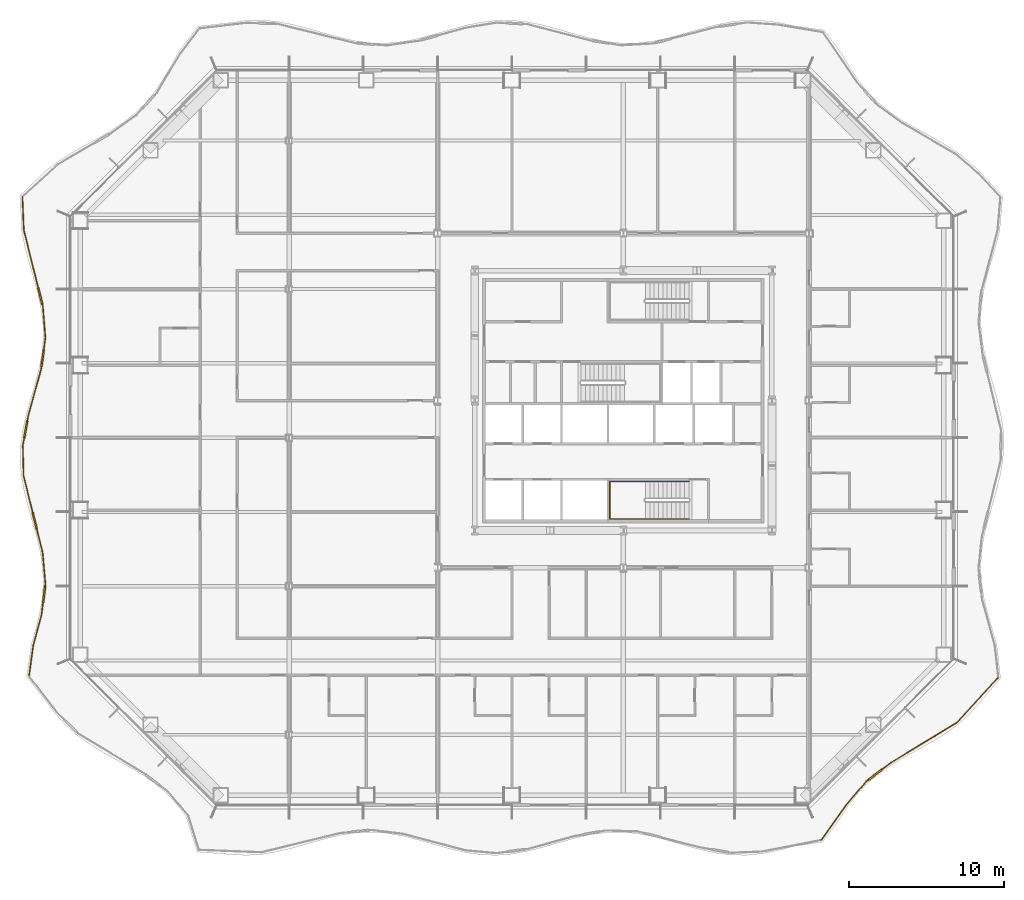
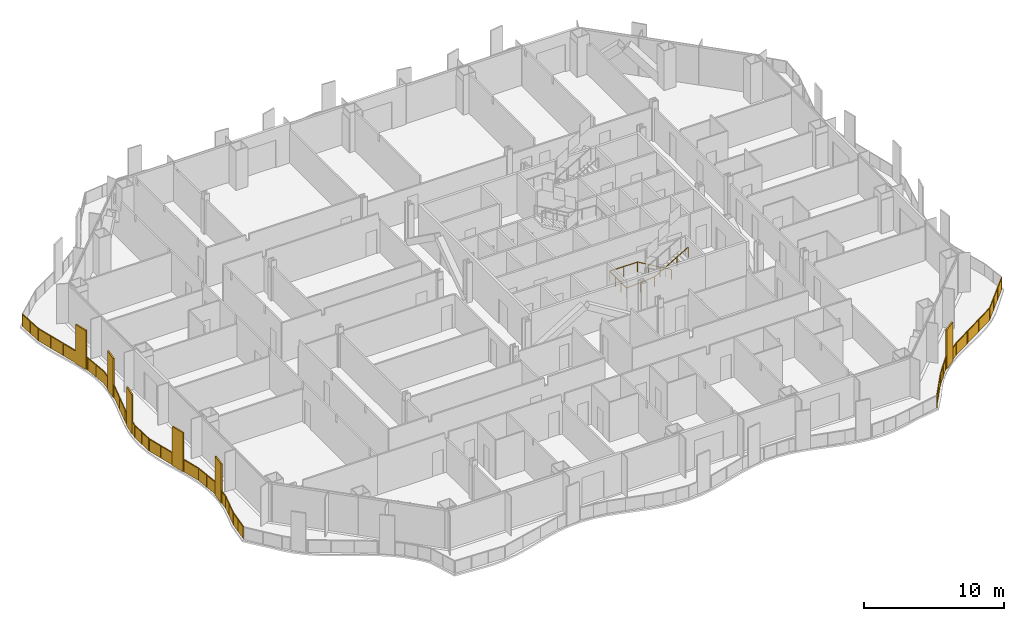
# One storey, part 17 of 21: 3 railings.
"""IFC4 building model written with IfcOpenShell, lengths in metres."""

import ifcopenshell
import ifcopenshell.guid

model = None  # the IFC model being written
_history = None  # IfcOwnerHistory: only IFC2X3 demands one
_inside = {}  # id of a spatial element -> (the spatial element, [elements in it])
_under = {}  # id of a project, library or spatial element -> (it, [spatial elements below it])
_declared = {}  # id of a project -> (the project, [libraries it declares])
_typed = {}  # id of a type object -> (the type object, [elements of that type])
_made_of = {}  # id of a material, layer set ... -> (it, [elements and type objects made of it])


def new_model(schema):
    """Start an empty IFC model of exactly this schema.

    Asked for "IFC4X3", IfcOpenShell would pick the latest addendum, in which some entities
    have other attributes; the version numbers below select the first issue.
    IFC2X3 requires an IfcOwnerHistory on every rooted entity: one is made here for all.
    """
    global model, _history
    if schema == "IFC4X3":
        model = ifcopenshell.file(schema_version=(4, 3, 0, 0))
    else:
        model = ifcopenshell.file(schema=schema)
    _inside.clear()
    _under.clear()
    _declared.clear()
    _typed.clear()
    _made_of.clear()
    _history = None
    if model.schema == "IFC2X3":
        org = make("IfcOrganization", Name="unknown")
        user = make(
            "IfcPersonAndOrganization",
            ThePerson=make("IfcPerson", FamilyName="unknown"),
            TheOrganization=org,
        )
        app = make(
            "IfcApplication",
            ApplicationDeveloper=org,
            Version="unknown",
            ApplicationFullName="unknown",
            ApplicationIdentifier="unknown",
        )
        _history = make(
            "IfcOwnerHistory",
            OwningUser=user,
            OwningApplication=app,
            ChangeAction="ADDED",
            CreationDate=0,
        )
    return model


def make(cls, **values):
    """One entity of the class cls with the attributes given. An attribute that is None is left unset."""
    return model.create_entity(
        cls, **{name: value for name, value in values.items() if value is not None}
    )


def rooted(cls, **values):
    """An entity with a GlobalId (a new one), such as an element, a storey or a relation."""
    return make(cls, GlobalId=ifcopenshell.guid.new(), OwnerHistory=_history, **values)


def si_unit(unit_type, name, prefix=None):
    """IfcSIUnit, for example si_unit("LENGTHUNIT", "METRE", prefix="MILLI")."""
    return make("IfcSIUnit", UnitType=unit_type, Prefix=prefix, Name=name)


def assignment(units):
    """IfcUnitAssignment: the units of a project."""
    return None if units is None else make("IfcUnitAssignment", Units=units)


def point(xyz):
    """IfcCartesianPoint."""
    return None if xyz is None else make("IfcCartesianPoint", Coordinates=xyz)


def direction(xyz):
    """IfcDirection."""
    return None if xyz is None else make("IfcDirection", DirectionRatios=xyz)


def frame(location, z_axis=None, x_axis=None):
    """IfcAxis2Placement3D, a coordinate frame: its origin and axes. An axis left out is left unset."""
    return make(
        "IfcAxis2Placement3D",
        Location=point(location),
        Axis=direction(z_axis),
        RefDirection=direction(x_axis),
    )


def frame_2d(location, x_axis=None):
    """IfcAxis2Placement2D, a coordinate frame in the plane: its origin and x axis."""
    return make(
        "IfcAxis2Placement2D", Location=point(location), RefDirection=direction(x_axis)
    )


def origin():
    """The frame at (0, 0, 0) with its axes left unset."""
    return frame((0.0, 0.0, 0.0))


def origin_2d():
    """The frame at (0, 0) in the plane with its x axis left unset."""
    return frame_2d((0.0, 0.0))


def place(relative_to, where):
    """IfcLocalPlacement: puts the frame where relative to a parent placement (None: the world)."""
    return make(
        "IfcLocalPlacement", PlacementRelTo=relative_to, RelativePlacement=where
    )


def context(
    kind, dimensions, precision=None, world=None, true_north=None, identifier=None
):
    """IfcGeometricRepresentationContext, for example the 3D "Model" context."""
    return make(
        "IfcGeometricRepresentationContext",
        ContextIdentifier=identifier,
        ContextType=kind,
        CoordinateSpaceDimension=dimensions,
        Precision=precision,
        WorldCoordinateSystem=world,
        TrueNorth=true_north,
    )


def subcontext(parent, identifier, kind, view, scale=None):
    """IfcGeometricRepresentationSubContext, for example "Body" below "Model"."""
    return make(
        "IfcGeometricRepresentationSubContext",
        ContextIdentifier=identifier,
        ContextType=kind,
        ParentContext=parent,
        TargetScale=scale,
        TargetView=view,
    )


def project(units=None, contexts=None):
    """IfcProject with its units and contexts."""
    return rooted(
        "IfcProject",
        Name="project",
        RepresentationContexts=contexts,
        UnitsInContext=assignment(units),
    )


def spatial(cls, under=None, at=None, **own):
    """A site, building, storey or space (cls), placed at a placement, below another one or the project."""
    s = rooted(cls, ObjectPlacement=at, **own)
    if under is not None:
        _under.setdefault(under.id(), (under, []))[1].append(s)
    return s


def polyline(points):
    """IfcPolyline through the points."""
    return make("IfcPolyline", Points=[point(p) for p in points])


def profile(cls, at=None, kind="AREA", **sizes):
    """A parametric profile (cls). Its sizes go by their IFC names, for example OverallWidth=200.0."""
    return make(cls, ProfileType=kind, Position=at, **sizes)


def rectangle(**sizes):
    """IfcRectangleProfileDef."""
    return profile("IfcRectangleProfileDef", **sizes)


def outline(outer, holes=None, kind="AREA"):
    """IfcArbitraryClosedProfileDef: a profile drawn as a closed curve; with holes, ...WithVoids."""
    if holes is None:
        return make("IfcArbitraryClosedProfileDef", ProfileType=kind, OuterCurve=outer)
    return make(
        "IfcArbitraryProfileDefWithVoids",
        ProfileType=kind,
        OuterCurve=outer,
        InnerCurves=holes,
    )


def extrude(swept, where, along, depth):
    """IfcExtrudedAreaSolid: the profile swept, set in the frame where, extruded along a direction by depth."""
    return make(
        "IfcExtrudedAreaSolid",
        SweptArea=swept,
        Position=where,
        ExtrudedDirection=direction(along),
        Depth=depth,
    )


def shape(context_of_items, identifier, shape_type, items):
    """IfcShapeRepresentation: the items that make up one representation, for example the "Body"."""
    return make(
        "IfcShapeRepresentation",
        ContextOfItems=context_of_items,
        RepresentationIdentifier=identifier,
        RepresentationType=shape_type,
        Items=items,
    )


def material(Name=None, Category=None):
    """IfcMaterial."""
    return make("IfcMaterial", Name=Name, Category=Category)


def made_of(thing, what):
    """Note that an element or type object is made of a material, layer set ...; save() writes the relation."""
    if what is not None:
        _made_of.setdefault(what.id(), (what, []))[1].append(thing)
    return thing


def type_object(cls, material=None, **own):
    """A type object (cls), such as IfcWallType, which elements share."""
    return made_of(rooted(cls, **own), material)


def element(
    cls,
    number,
    at=None,
    inside=None,
    cuts=None,
    type_object=None,
    material=None,
    context=None,
    identifier="Body",
    shape_type=None,
    held_by="IfcProductDefinitionShape",
    body=None,
    shapes=None,
    **own,
):
    """One element of the class cls, such as IfcWall. Its Tag is "e" and its number.

    at: its placement. inside: the storey or other place that contains it. cuts: it is an
    opening in that element (IfcRelVoidsElement). A single representation is given by context,
    identifier, shape_type and body (its items); several are given by shapes. held_by: the class
    of the entity that holds the representations. save() writes the other relations.
    """
    e = rooted(cls, Tag="e%d" % number, ObjectPlacement=at, **own)
    if body is not None:
        shapes = [shape(context, identifier, shape_type, body)]
    if shapes is not None:
        e.Representation = make(held_by, Representations=shapes)
    if inside is not None:
        _inside.setdefault(inside.id(), (inside, []))[1].append(e)
    if cuts is not None:
        rooted(
            "IfcRelVoidsElement", RelatingBuildingElement=cuts, RelatedOpeningElement=e
        )
    if type_object is not None:
        _typed.setdefault(type_object.id(), (type_object, []))[1].append(e)
    return made_of(e, material)


def aggregate(whole, parts):
    """IfcRelAggregates: a whole, such as a stair, and the parts it consists of."""
    return rooted("IfcRelAggregates", RelatingObject=whole, RelatedObjects=parts)


def save(model, path):
    """Write the relations noted so far, then the file.

    IfcRelAggregates (storeys below a building ...), IfcRelContainedInSpatialStructure (elements
    in a storey), IfcRelDefinesByType, IfcRelAssociatesMaterial and IfcRelDeclares: one each for
    every whole, place, type object, material and project.
    """
    for whole, parts in _under.values():
        aggregate(whole, parts)
    for where, things in _inside.values():
        rooted(
            "IfcRelContainedInSpatialStructure",
            RelatedElements=things,
            RelatingStructure=where,
        )
    for kind, things in _typed.values():
        rooted("IfcRelDefinesByType", RelatedObjects=things, RelatingType=kind)
    for what, things in _made_of.values():
        rooted("IfcRelAssociatesMaterial", RelatedObjects=things, RelatingMaterial=what)
    for by, libraries in _declared.values():
        rooted("IfcRelDeclares", RelatingContext=by, RelatedDefinitions=libraries)
    model.write(path)


model = new_model("IFC4")

# Units and contexts
model_context = context("Model", 3, precision=1e-05, world=origin(), true_north=direction((0.0, 1.0)))
body_context = subcontext(model_context, "Body", "Model", "MODEL_VIEW")
ifc_project = project(units=[si_unit("LENGTHUNIT", "METRE"), si_unit("AREAUNIT", "SQUARE_METRE"), si_unit("VOLUMEUNIT", "CUBIC_METRE"), si_unit("PLANEANGLEUNIT", "RADIAN"), si_unit("MASSUNIT", "GRAM", prefix="KILO")], contexts=[model_context])

# Site, building, storey
site_placement = place(None, origin())
site = spatial("IfcSite", under=ifc_project, at=site_placement, CompositionType="ELEMENT")
building_placement = place(site_placement, origin())
building = spatial("IfcBuilding", under=site, at=building_placement, Name="Cairn Pilgrim Tower", CompositionType="ELEMENT")
storey_placement = place(building_placement, frame((0.0, 0.0, 47.39990234375)))
storey = spatial("IfcBuildingStorey", under=building, at=storey_placement, Name="L09", CompositionType="ELEMENT", Elevation=47.39990234375)

# Railings
ifc_material_1 = material(Name="Bronze anodised aluminium rail, posts and fin screens with laminated glass infill", Category="aluminium")
railing_type_1 = type_object("IfcRailingType", Name="BALCONY GUARD WITH FIN SCREENS", PredefinedType="GUARDRAIL", material=ifc_material_1)
railing_1_placement = place(storey_placement, frame((19.995849609375, -25.996826171875, 0.0)))
element("IfcRailing", 1, at=railing_1_placement, inside=storey, type_object=railing_type_1, Name="Balcony guard BGF-2 with fin screens", PredefinedType="GUARDRAIL", context=body_context, shape_type="SweptSolid", body=[
    extrude(rectangle(XDim=0.050048828125, YDim=0.050048828125, at=origin_2d()), frame((0.0, 0.0, 1.0751953125), z_axis=(0.578901701454, 0.815397338758, 0.0), x_axis=(-0.815397338758, 0.578901701454, 0.0)), (0.0, 0.0, 1.0), 2.81005859375),
    extrude(rectangle(XDim=0.050048828125, YDim=0.050048828125, at=origin_2d()), frame((1.626708984375, 2.291259765625, 1.0751953125), z_axis=(0.650678985277, 0.759352920663, 0.0), x_axis=(-0.759352920663, 0.650678985277, 0.0)), (0.0, 0.0, 1.0), 1.968017578125),
    extrude(rectangle(XDim=1.10009765625, YDim=0.110107421875, at=origin_2d()), frame((3.464111328125, 4.209716796875, 0.0), z_axis=(0.0, 0.0, 1.0), x_axis=(0.79566082204, 0.605742400918, 0.0)), (0.0, 0.0, 1.0), 3.39990234375),
    extrude(rectangle(XDim=0.050048828125, YDim=0.050048828125, at=origin_2d()), frame((2.9072265625, 3.78564453125, 1.0751953125), z_axis=(0.79566082204, 0.605742400918, 0.0), x_axis=(-0.605742400918, 0.79566082204, 0.0)), (0.0, 0.0, 1.0), 0.150146484375),
    extrude(rectangle(XDim=0.050048828125, YDim=0.050048828125, at=origin_2d()), frame((3.90185546875, 4.542724609375, 1.0751953125), z_axis=(0.79566082204, 0.605742400918, 0.0), x_axis=(-0.605742400918, 0.79566082204, 0.0)), (0.0, 0.0, 1.0), 0.73095703125),
    extrude(rectangle(XDim=0.050048828125, YDim=0.050048828125, at=origin_2d()), frame((4.4833984375, 4.985595703125, 1.0751953125), z_axis=(0.854566756573, 0.51934156252, 0.0), x_axis=(-0.51934156252, 0.854566756573, 0.0)), (0.0, 0.0, 1.0), 4.977783203125),
    extrude(rectangle(XDim=0.050048828125, YDim=0.050048828125, at=origin_2d()), frame((8.7373046875, 7.57080078125, 1.0751953125), z_axis=(0.677819136403, 0.735228684373, 0.0), x_axis=(-0.735228684373, 0.677819136403, 0.0)), (0.0, 0.0, 1.0), 3.916748046875),
    extrude(rectangle(XDim=0.050048828125, YDim=0.050048828125, at=origin_2d()), origin(), (0.0, 0.0, 1.0), 1.050048828125),
    extrude(rectangle(XDim=0.050048828125, YDim=0.050048828125, at=origin_2d()), frame((0.8134765625, 1.1455078125, 0.0)), (0.0, 0.0, 1.0), 1.050048828125),
    extrude(rectangle(XDim=0.050048828125, YDim=0.050048828125, at=origin_2d()), frame((1.626708984375, 2.291259765625, 0.0)), (0.0, 0.0, 1.0), 1.050048828125),
    extrude(rectangle(XDim=0.050048828125, YDim=0.050048828125, at=origin_2d()), frame((2.26708984375, 3.03857421875, 0.0)), (0.0, 0.0, 1.0), 1.050048828125),
    extrude(rectangle(XDim=0.050048828125, YDim=0.050048828125, at=origin_2d()), frame((2.9072265625, 3.78564453125, 0.0)), (0.0, 0.0, 1.0), 1.050048828125),
    extrude(rectangle(XDim=0.050048828125, YDim=0.050048828125, at=origin_2d()), frame((3.006591796875, 3.861328125, 0.0)), (0.0, 0.0, 1.0), 1.050048828125),
    extrude(rectangle(XDim=0.050048828125, YDim=0.050048828125, at=origin_2d()), frame((3.921630859375, 4.55810546875, 0.0)), (0.0, 0.0, 1.0), 1.050048828125),
    extrude(rectangle(XDim=0.050048828125, YDim=0.050048828125, at=origin_2d()), frame((4.4833984375, 4.985595703125, 0.0)), (0.0, 0.0, 1.0), 1.050048828125),
    extrude(rectangle(XDim=0.050048828125, YDim=0.050048828125, at=origin_2d()), frame((5.9013671875, 5.847412109375, 0.0)), (0.0, 0.0, 1.0), 1.050048828125),
    extrude(rectangle(XDim=0.050048828125, YDim=0.050048828125, at=origin_2d()), frame((7.3193359375, 6.708984375, 0.0)), (0.0, 0.0, 1.0), 1.050048828125),
    extrude(rectangle(XDim=0.050048828125, YDim=0.050048828125, at=origin_2d()), frame((8.7373046875, 7.57080078125, 0.0)), (0.0, 0.0, 1.0), 1.050048828125),
    extrude(rectangle(XDim=0.050048828125, YDim=0.050048828125, at=origin_2d()), frame((9.622314453125, 8.53076171875, 0.0)), (0.0, 0.0, 1.0), 1.050048828125),
    extrude(rectangle(XDim=0.050048828125, YDim=0.050048828125, at=origin_2d()), frame((10.507080078125, 9.490478515625, 0.0)), (0.0, 0.0, 1.0), 1.050048828125),
    extrude(rectangle(XDim=0.050048828125, YDim=0.050048828125, at=origin_2d()), frame((11.39208984375, 10.450439453125, 0.0)), (0.0, 0.0, 1.0), 1.050048828125),
    extrude(outline(polyline([(0.02490234375, 0.0), (1.3798828125, 0.0), (1.3798828125, 1.050048828125), (0.02490234375, 1.050048828125), (0.02490234375, 0.0)])), frame((-0.0048828125, 0.00341796875, 0.0), z_axis=(0.815397338758, -0.578901701454, 0.0), x_axis=(0.578901701454, 0.815397338758, 0.0)), (0.0, 0.0, 1.0), 0.011962890625),
    extrude(outline(polyline([(0.02490234375, 0.0), (1.3798828125, 0.0), (1.3798828125, 1.050048828125), (0.02490234375, 1.050048828125), (0.02490234375, 0.0)])), frame((0.80859375, 1.149169921875, 0.0), z_axis=(0.815397338758, -0.578901701454, 0.0), x_axis=(0.578901701454, 0.815397338758, 0.0)), (0.0, 0.0, 1.0), 0.011962890625),
    extrude(outline(polyline([(0.02490234375, 0.0), (0.958984375, 0.0), (0.958984375, 1.050048828125), (0.02490234375, 1.050048828125), (0.02490234375, 0.0)])), frame((1.6220703125, 2.295166015625, 0.0), z_axis=(0.759352920663, -0.650678985277, 0.0), x_axis=(0.650678985277, 0.759352920663, 0.0)), (0.0, 0.0, 1.0), 0.011962890625),
    extrude(outline(polyline([(0.02490234375, 0.0), (0.958984375, 0.0), (0.958984375, 1.050048828125), (0.02490234375, 1.050048828125), (0.02490234375, 0.0)])), frame((2.262451171875, 3.042236328125, 0.0), z_axis=(0.759352920663, -0.650678985277, 0.0), x_axis=(0.650678985277, 0.759352920663, 0.0)), (0.0, 0.0, 1.0), 0.011962890625),
    extrude(outline(polyline([(0.02490234375, 0.0), (0.10009765625, 0.0), (0.10009765625, 1.050048828125), (0.02490234375, 1.050048828125), (0.02490234375, 0.0)])), frame((2.903564453125, 3.790283203125, 0.0), z_axis=(0.605742400918, -0.79566082204, 0.0), x_axis=(0.79566082204, 0.605742400918, 0.0)), (0.0, 0.0, 1.0), 0.011962890625),
    extrude(outline(polyline([(0.02490234375, 0.0), (0.680908203125, 0.0), (0.680908203125, 1.050048828125), (0.02490234375, 1.050048828125), (0.02490234375, 0.0)])), frame((3.918212890625, 4.562744140625, 0.0), z_axis=(0.605742400918, -0.79566082204, 0.0), x_axis=(0.79566082204, 0.605742400918, 0.0)), (0.0, 0.0, 1.0), 0.011962890625),
    extrude(outline(polyline([(0.02490234375, 0.0), (1.63427734375, 0.0), (1.63427734375, 1.050048828125), (0.02490234375, 1.050048828125), (0.02490234375, 0.0)])), frame((4.480224609375, 4.99072265625, 0.0), z_axis=(0.51934156252, -0.854566756573, 0.0), x_axis=(0.854566756573, 0.51934156252, 0.0)), (0.0, 0.0, 1.0), 0.011962890625),
    extrude(outline(polyline([(0.02490234375, 0.0), (1.63427734375, 0.0), (1.63427734375, 1.050048828125), (0.02490234375, 1.050048828125), (0.02490234375, 0.0)])), frame((5.898193359375, 5.8525390625, 0.0), z_axis=(0.51934156252, -0.854566756573, 0.0), x_axis=(0.854566756573, 0.51934156252, 0.0)), (0.0, 0.0, 1.0), 0.011962890625),
    extrude(outline(polyline([(0.02490234375, 0.0), (1.63427734375, 0.0), (1.63427734375, 1.050048828125), (0.02490234375, 1.050048828125), (0.02490234375, 0.0)])), frame((7.316162109375, 6.714111328125, 0.0), z_axis=(0.51934156252, -0.854566756573, 0.0), x_axis=(0.854566756573, 0.51934156252, 0.0)), (0.0, 0.0, 1.0), 0.011962890625),
    extrude(outline(polyline([(0.02490234375, 0.0), (1.280517578125, 0.0), (1.280517578125, 1.050048828125), (0.02490234375, 1.050048828125), (0.02490234375, 0.0)])), frame((8.73291015625, 7.574951171875, 0.0), z_axis=(0.735228684373, -0.677819136403, 0.0), x_axis=(0.677819136403, 0.735228684373, 0.0)), (0.0, 0.0, 1.0), 0.011962890625),
    extrude(outline(polyline([(0.02490234375, 0.0), (1.280517578125, 0.0), (1.280517578125, 1.050048828125), (0.02490234375, 1.050048828125), (0.02490234375, 0.0)])), frame((9.617919921875, 8.53466796875, 0.0), z_axis=(0.735228684373, -0.677819136403, 0.0), x_axis=(0.677819136403, 0.735228684373, 0.0)), (0.0, 0.0, 1.0), 0.011962890625),
    extrude(outline(polyline([(0.02490234375, 0.0), (1.280517578125, 0.0), (1.280517578125, 1.050048828125), (0.02490234375, 1.050048828125), (0.02490234375, 0.0)])), frame((10.502685546875, 9.49462890625, 0.0), z_axis=(0.735228684373, -0.677819136403, 0.0), x_axis=(0.677819136403, 0.735228684373, 0.0)), (0.0, 0.0, 1.0), 0.011962890625),
])
railing_2_placement = place(storey_placement, frame((-31.640869140625, 15.57666015625, 0.0)))
element("IfcRailing", 2, at=railing_2_placement, inside=storey, type_object=railing_type_1, Name="Balcony guard BGF-7 with fin screens", PredefinedType="GUARDRAIL", context=body_context, shape_type="SweptSolid", body=[
    extrude(rectangle(XDim=0.050048828125, YDim=0.050048828125, at=origin_2d()), frame((0.0, 0.0, 1.0751953125), z_axis=(0.041446342412, -0.999140731179, 0.0), x_axis=(0.999140731179, 0.041446342412, 0.0)), (0.0, 0.0, 1.0), 2.150146484375),
    extrude(rectangle(XDim=1.10009765625, YDim=0.110107421875, at=origin_2d()), frame((1.15673828125, -6.431884765625, 0.0), z_axis=(0.0, 0.0, 1.0), x_axis=(0.24186169283, -0.970310734528, 0.0)), (0.0, 0.0, 1.0), 3.39990234375),
    extrude(rectangle(XDim=0.050048828125, YDim=0.050048828125, at=origin_2d()), frame((0.089111328125, -2.148193359375, 1.0751953125), z_axis=(0.24186169283, -0.970310734528, 0.0), x_axis=(0.970310734528, 0.24186169283, 0.0)), (0.0, 0.0, 1.0), 3.86474609375),
    extrude(rectangle(XDim=0.050048828125, YDim=0.050048828125, at=origin_2d()), frame((1.289794921875, -6.965576171875, 1.0751953125), z_axis=(0.24186169283, -0.970310734528, 0.0), x_axis=(0.970310734528, 0.24186169283, 0.0)), (0.0, 0.0, 1.0), 0.150146484375),
    extrude(rectangle(XDim=0.050048828125, YDim=0.050048828125, at=origin_2d()), frame((1.326171875, -7.111083984375, 1.0751953125), z_axis=(0.079726017658, -0.99681681472, 0.0), x_axis=(0.99681681472, 0.079726017658, 0.0)), (0.0, 0.0, 1.0), 2.02099609375),
    extrude(rectangle(XDim=1.10009765625, YDim=0.110107421875, at=origin_2d()), frame((1.306396484375, -10.4443359375, 0.0), z_axis=(0.0, 0.0, 1.0), x_axis=(-0.135831962599, -0.990731890037, 0.0)), (0.0, 0.0, 1.0), 3.39990234375),
    extrude(rectangle(XDim=0.050048828125, YDim=0.050048828125, at=origin_2d()), frame((1.4873046875, -9.125732421875, 1.0751953125), z_axis=(-0.135831962599, -0.990731890037, 0.0), x_axis=(0.990731890037, -0.135831962599, 0.0)), (0.0, 0.0, 1.0), 0.781005859375),
    extrude(rectangle(XDim=0.050048828125, YDim=0.050048828125, at=origin_2d()), frame((1.231689453125, -10.9892578125, 1.0751953125), z_axis=(-0.135831962599, -0.990731890037, 0.0), x_axis=(0.990731890037, -0.135831962599, 0.0)), (0.0, 0.0, 1.0), 0.14990234375),
    extrude(rectangle(XDim=0.050048828125, YDim=0.050048828125, at=origin_2d()), frame((1.21142578125, -11.137939453125, 1.0751953125), z_axis=(-0.266646863362, -0.963794298727, 0.0), x_axis=(0.963794298727, -0.266646863362, 0.0)), (0.0, 0.0, 1.0), 3.0947265625),
    extrude(rectangle(XDim=1.10009765625, YDim=0.110107421875, at=origin_2d()), frame((0.2158203125, -15.048583984375, 0.0), z_axis=(0.0, 0.0, 1.0), x_axis=(-0.180552572707, -0.98356533514, 0.0)), (0.0, 0.0, 1.0), 3.39990234375),
    extrude(rectangle(XDim=0.050048828125, YDim=0.050048828125, at=origin_2d()), frame((0.38623046875, -14.12060546875, 1.0751953125), z_axis=(-0.180552572707, -0.98356533514, 0.0), x_axis=(0.98356533514, -0.180552572707, 0.0)), (0.0, 0.0, 1.0), 0.3935546875),
    extrude(rectangle(XDim=0.050048828125, YDim=0.050048828125, at=origin_2d()), frame((0.116455078125, -15.589599609375, 1.0751953125), z_axis=(-0.180552572707, -0.98356533514, 0.0), x_axis=(0.98356533514, -0.180552572707, 0.0)), (0.0, 0.0, 1.0), 0.503662109375),
    extrude(rectangle(XDim=0.050048828125, YDim=0.050048828125, at=origin_2d()), frame((0.025634765625, -16.0849609375, 1.0751953125), z_axis=(0.024602170168, -0.999697320804, 0.0), x_axis=(0.999697320804, 0.024602170168, 0.0)), (0.0, 0.0, 1.0), 1.954833984375),
    extrude(rectangle(XDim=1.10009765625, YDim=0.110107421875, at=origin_2d()), frame((0.79541015625, -20.946533203125, 0.0), z_axis=(0.0, 0.0, 1.0), x_axis=(0.240939300166, -0.970540186512, 0.0)), (0.0, 0.0, 1.0), 3.39990234375),
    extrude(rectangle(XDim=0.050048828125, YDim=0.050048828125, at=origin_2d()), frame((0.07373046875, -18.039306640625, 1.0751953125), z_axis=(0.240939300166, -0.970540186512, 0.0), x_axis=(0.970540186512, 0.240939300166, 0.0)), (0.0, 0.0, 1.0), 2.4453125),
    extrude(rectangle(XDim=0.050048828125, YDim=0.050048828125, at=origin_2d()), frame((0.927978515625, -21.480224609375, 1.0751953125), z_axis=(0.240939300166, -0.970540186512, 0.0), x_axis=(0.970540186512, 0.240939300166, 0.0)), (0.0, 0.0, 1.0), 1.565673828125),
    extrude(rectangle(XDim=0.050048828125, YDim=0.050048828125, at=origin_2d()), frame((1.30517578125, -22.999755859375, 1.0751953125), z_axis=(0.091504417524, -0.995804670392, 0.0), x_axis=(0.995804670392, 0.091504417524, 0.0)), (0.0, 0.0, 1.0), 2.0224609375),
    extrude(rectangle(XDim=1.10009765625, YDim=0.110107421875, at=origin_2d()), frame((1.40283203125, -25.708251953125, 0.0), z_axis=(0.0, 0.0, 1.0), x_axis=(-0.125041893464, -0.99215146267, 0.0)), (0.0, 0.0, 1.0), 3.39990234375),
    extrude(rectangle(XDim=0.050048828125, YDim=0.050048828125, at=origin_2d()), frame((1.490234375, -25.013671875, 1.0751953125), z_axis=(-0.125041893464, -0.99215146267, 0.0), x_axis=(0.99215146267, -0.125041893464, 0.0)), (0.0, 0.0, 1.0), 0.14990234375),
    extrude(rectangle(XDim=0.050048828125, YDim=0.050048828125, at=origin_2d()), frame((1.333984375, -26.25390625, 1.0751953125), z_axis=(-0.125041893464, -0.99215146267, 0.0), x_axis=(0.99215146267, -0.125041893464, 0.0)), (0.0, 0.0, 1.0), 0.778564453125),
    extrude(rectangle(XDim=0.050048828125, YDim=0.050048828125, at=origin_2d()), frame((1.236572265625, -27.0263671875, 1.0751953125), z_axis=(-0.261601910186, -0.965175859928, 0.0), x_axis=(0.965175859928, -0.261601910186, 0.0)), (0.0, 0.0, 1.0), 2.058837890625),
    extrude(rectangle(XDim=0.050048828125, YDim=0.050048828125, at=origin_2d()), frame((0.697998046875, -29.013427734375, 1.0751953125), z_axis=(-0.135566913503, -0.99076819285, 0.0), x_axis=(0.99076819285, -0.135566913503, 0.0)), (0.0, 0.0, 1.0), 1.945068359375),
    extrude(rectangle(XDim=0.050048828125, YDim=0.050048828125, at=origin_2d()), origin(), (0.0, 0.0, 1.0), 1.050048828125),
    extrude(rectangle(XDim=0.050048828125, YDim=0.050048828125, at=origin_2d()), frame((0.04443359375, -1.07421875, 0.0)), (0.0, 0.0, 1.0), 1.050048828125),
    extrude(rectangle(XDim=0.050048828125, YDim=0.050048828125, at=origin_2d()), frame((0.089111328125, -2.148193359375, 0.0)), (0.0, 0.0, 1.0), 1.050048828125),
    extrude(rectangle(XDim=0.050048828125, YDim=0.050048828125, at=origin_2d()), frame((0.398681640625, -3.39013671875, 0.0)), (0.0, 0.0, 1.0), 1.050048828125),
    extrude(rectangle(XDim=0.050048828125, YDim=0.050048828125, at=origin_2d()), frame((0.708251953125, -4.6318359375, 0.0)), (0.0, 0.0, 1.0), 1.050048828125),
    extrude(rectangle(XDim=0.050048828125, YDim=0.050048828125, at=origin_2d()), frame((1.017822265625, -5.873779296875, 0.0)), (0.0, 0.0, 1.0), 1.050048828125),
    extrude(rectangle(XDim=0.050048828125, YDim=0.050048828125, at=origin_2d()), frame((1.2958984375, -6.98974609375, 0.0)), (0.0, 0.0, 1.0), 1.050048828125),
    extrude(rectangle(XDim=0.050048828125, YDim=0.050048828125, at=origin_2d()), frame((1.326171875, -7.111083984375, 0.0)), (0.0, 0.0, 1.0), 1.050048828125),
    extrude(rectangle(XDim=0.050048828125, YDim=0.050048828125, at=origin_2d()), frame((1.40673828125, -8.118408203125, 0.0)), (0.0, 0.0, 1.0), 1.050048828125),
    extrude(rectangle(XDim=0.050048828125, YDim=0.050048828125, at=origin_2d()), frame((1.4873046875, -9.125732421875, 0.0)), (0.0, 0.0, 1.0), 1.050048828125),
    extrude(rectangle(XDim=0.050048828125, YDim=0.050048828125, at=origin_2d()), frame((1.384521484375, -9.874755859375, 0.0)), (0.0, 0.0, 1.0), 1.050048828125),
    extrude(rectangle(XDim=0.050048828125, YDim=0.050048828125, at=origin_2d()), frame((1.228515625, -11.01416015625, 0.0)), (0.0, 0.0, 1.0), 1.050048828125),
    extrude(rectangle(XDim=0.050048828125, YDim=0.050048828125, at=origin_2d()), frame((1.21142578125, -11.137939453125, 0.0)), (0.0, 0.0, 1.0), 1.050048828125),
    extrude(rectangle(XDim=0.050048828125, YDim=0.050048828125, at=origin_2d()), frame((0.798828125, -12.62939453125, 0.0)), (0.0, 0.0, 1.0), 1.050048828125),
    extrude(rectangle(XDim=0.050048828125, YDim=0.050048828125, at=origin_2d()), frame((0.38623046875, -14.12060546875, 0.0)), (0.0, 0.0, 1.0), 1.050048828125),
    extrude(rectangle(XDim=0.050048828125, YDim=0.050048828125, at=origin_2d()), frame((0.319580078125, -14.483154296875, 0.0)), (0.0, 0.0, 1.0), 1.050048828125),
    extrude(rectangle(XDim=0.050048828125, YDim=0.050048828125, at=origin_2d()), frame((0.112060546875, -15.6142578125, 0.0)), (0.0, 0.0, 1.0), 1.050048828125),
    extrude(rectangle(XDim=0.050048828125, YDim=0.050048828125, at=origin_2d()), frame((0.025634765625, -16.0849609375, 0.0)), (0.0, 0.0, 1.0), 1.050048828125),
    extrude(rectangle(XDim=0.050048828125, YDim=0.050048828125, at=origin_2d()), frame((0.0498046875, -17.06201171875, 0.0)), (0.0, 0.0, 1.0), 1.050048828125),
    extrude(rectangle(XDim=0.050048828125, YDim=0.050048828125, at=origin_2d()), frame((0.07373046875, -18.039306640625, 0.0)), (0.0, 0.0, 1.0), 1.050048828125),
    extrude(rectangle(XDim=0.050048828125, YDim=0.050048828125, at=origin_2d()), frame((0.365234375, -19.2138671875, 0.0)), (0.0, 0.0, 1.0), 1.050048828125),
    extrude(rectangle(XDim=0.050048828125, YDim=0.050048828125, at=origin_2d()), frame((0.656982421875, -20.388427734375, 0.0)), (0.0, 0.0, 1.0), 1.050048828125),
    extrude(rectangle(XDim=0.050048828125, YDim=0.050048828125, at=origin_2d()), frame((0.93408203125, -21.504638671875, 0.0)), (0.0, 0.0, 1.0), 1.050048828125),
    extrude(rectangle(XDim=0.050048828125, YDim=0.050048828125, at=origin_2d()), frame((1.30517578125, -22.999755859375, 0.0)), (0.0, 0.0, 1.0), 1.050048828125),
    extrude(rectangle(XDim=0.050048828125, YDim=0.050048828125, at=origin_2d()), frame((1.397705078125, -24.0068359375, 0.0)), (0.0, 0.0, 1.0), 1.050048828125),
    extrude(rectangle(XDim=0.050048828125, YDim=0.050048828125, at=origin_2d()), frame((1.490234375, -25.013671875, 0.0)), (0.0, 0.0, 1.0), 1.050048828125),
    extrude(rectangle(XDim=0.050048828125, YDim=0.050048828125, at=origin_2d()), frame((1.474609375, -25.1376953125, 0.0)), (0.0, 0.0, 1.0), 1.050048828125),
    extrude(rectangle(XDim=0.050048828125, YDim=0.050048828125, at=origin_2d()), frame((1.330810546875, -26.278564453125, 0.0)), (0.0, 0.0, 1.0), 1.050048828125),
    extrude(rectangle(XDim=0.050048828125, YDim=0.050048828125, at=origin_2d()), frame((1.236572265625, -27.0263671875, 0.0)), (0.0, 0.0, 1.0), 1.050048828125),
    extrude(rectangle(XDim=0.050048828125, YDim=0.050048828125, at=origin_2d()), frame((0.96728515625, -28.02001953125, 0.0)), (0.0, 0.0, 1.0), 1.050048828125),
    extrude(rectangle(XDim=0.050048828125, YDim=0.050048828125, at=origin_2d()), frame((0.697998046875, -29.013427734375, 0.0)), (0.0, 0.0, 1.0), 1.050048828125),
    extrude(rectangle(XDim=0.050048828125, YDim=0.050048828125, at=origin_2d()), frame((0.566162109375, -29.97705078125, 0.0)), (0.0, 0.0, 1.0), 1.050048828125),
    extrude(rectangle(XDim=0.050048828125, YDim=0.050048828125, at=origin_2d()), frame((0.434326171875, -30.9404296875, 0.0)), (0.0, 0.0, 1.0), 1.050048828125),
    extrude(outline(polyline([(0.02490234375, 0.0), (1.050048828125, 0.0), (1.050048828125, 1.050048828125), (0.02490234375, 1.050048828125), (0.02490234375, 0.0)])), frame((0.005859375, 0.000244140625, 0.0), z_axis=(-0.999140731179, -0.041446342412, 0.0), x_axis=(0.041446342412, -0.999140731179, 0.0)), (0.0, 0.0, 1.0), 0.011962890625),
    extrude(outline(polyline([(0.02490234375, 0.0), (1.050048828125, 0.0), (1.050048828125, 1.050048828125), (0.02490234375, 1.050048828125), (0.02490234375, 0.0)])), frame((0.050537109375, -1.07373046875, 0.0), z_axis=(-0.999140731179, -0.041446342412, 0.0), x_axis=(0.041446342412, -0.999140731179, 0.0)), (0.0, 0.0, 1.0), 0.011962890625),
    extrude(outline(polyline([(0.02490234375, 0.0), (1.2548828125, 0.0), (1.2548828125, 1.050048828125), (0.02490234375, 1.050048828125), (0.02490234375, 0.0)])), frame((0.094970703125, -2.146728515625, 0.0), z_axis=(-0.970310734528, -0.24186169283, 0.0), x_axis=(0.24186169283, -0.970310734528, 0.0)), (0.0, 0.0, 1.0), 0.011962890625),
    extrude(outline(polyline([(0.02490234375, 0.0), (1.2548828125, 0.0), (1.2548828125, 1.050048828125), (0.02490234375, 1.050048828125), (0.02490234375, 0.0)])), frame((0.404541015625, -3.388671875, 0.0), z_axis=(-0.970310734528, -0.24186169283, 0.0), x_axis=(0.24186169283, -0.970310734528, 0.0)), (0.0, 0.0, 1.0), 0.011962890625),
    extrude(outline(polyline([(0.02490234375, 0.0), (1.2548828125, 0.0), (1.2548828125, 1.050048828125), (0.02490234375, 1.050048828125), (0.02490234375, 0.0)])), frame((0.714111328125, -4.630615234375, 0.0), z_axis=(-0.970310734528, -0.24186169283, 0.0), x_axis=(0.24186169283, -0.970310734528, 0.0)), (0.0, 0.0, 1.0), 0.011962890625),
    extrude(outline(polyline([(0.02490234375, 0.0), (0.10009765625, 0.0), (0.10009765625, 1.050048828125), (0.02490234375, 1.050048828125), (0.02490234375, 0.0)])), frame((1.3017578125, -6.98828125, 0.0), z_axis=(-0.970310734528, -0.24186169283, 0.0), x_axis=(0.24186169283, -0.970310734528, 0.0)), (0.0, 0.0, 1.0), 0.011962890625),
    extrude(outline(polyline([(0.02490234375, 0.0), (0.985595703125, 0.0), (0.985595703125, 1.050048828125), (0.02490234375, 1.050048828125), (0.02490234375, 0.0)])), frame((1.33203125, -7.110595703125, 0.0), z_axis=(-0.99681681472, -0.079726017658, 0.0), x_axis=(0.079726017658, -0.99681681472, 0.0)), (0.0, 0.0, 1.0), 0.011962890625),
    extrude(outline(polyline([(0.02490234375, 0.0), (0.985595703125, 0.0), (0.985595703125, 1.050048828125), (0.02490234375, 1.050048828125), (0.02490234375, 0.0)])), frame((1.41259765625, -8.117919921875, 0.0), z_axis=(-0.99681681472, -0.079726017658, 0.0), x_axis=(0.079726017658, -0.99681681472, 0.0)), (0.0, 0.0, 1.0), 0.011962890625),
    extrude(outline(polyline([(0.02490234375, 0.0), (0.73095703125, 0.0), (0.73095703125, 1.050048828125), (0.02490234375, 1.050048828125), (0.02490234375, 0.0)])), frame((1.4931640625, -9.12646484375, 0.0), z_axis=(-0.990731890037, 0.135831962599, 0.0), x_axis=(-0.135831962599, -0.990731890037, 0.0)), (0.0, 0.0, 1.0), 0.011962890625),
    extrude(outline(polyline([(0.02490234375, 0.0), (0.099853515625, 0.0), (0.099853515625, 1.050048828125), (0.02490234375, 1.050048828125), (0.02490234375, 0.0)])), frame((1.234375, -11.014892578125, 0.0), z_axis=(-0.990731890037, 0.135831962599, 0.0), x_axis=(-0.135831962599, -0.990731890037, 0.0)), (0.0, 0.0, 1.0), 0.011962890625),
    extrude(outline(polyline([(0.02490234375, 0.0), (1.522216796875, 0.0), (1.522216796875, 1.050048828125), (0.02490234375, 1.050048828125), (0.02490234375, 0.0)])), frame((1.21728515625, -11.1396484375, 0.0), z_axis=(-0.963794298727, 0.266646863362, 0.0), x_axis=(-0.266646863362, -0.963794298727, 0.0)), (0.0, 0.0, 1.0), 0.011962890625),
    extrude(outline(polyline([(0.02490234375, 0.0), (1.522216796875, 0.0), (1.522216796875, 1.050048828125), (0.02490234375, 1.050048828125), (0.02490234375, 0.0)])), frame((0.8046875, -12.630859375, 0.0), z_axis=(-0.963794298727, 0.266646863362, 0.0), x_axis=(-0.266646863362, -0.963794298727, 0.0)), (0.0, 0.0, 1.0), 0.011962890625),
    extrude(outline(polyline([(0.02490234375, 0.0), (0.343505859375, 0.0), (0.343505859375, 1.050048828125), (0.02490234375, 1.050048828125), (0.02490234375, 0.0)])), frame((0.39208984375, -14.12158203125, 0.0), z_axis=(-0.98356533514, 0.180552572707, 0.0), x_axis=(-0.180552572707, -0.98356533514, 0.0)), (0.0, 0.0, 1.0), 0.011962890625),
    extrude(outline(polyline([(0.02490234375, 0.0), (0.45361328125, 0.0), (0.45361328125, 1.050048828125), (0.02490234375, 1.050048828125), (0.02490234375, 0.0)])), frame((0.117919921875, -15.615234375, 0.0), z_axis=(-0.98356533514, 0.180552572707, 0.0), x_axis=(-0.180552572707, -0.98356533514, 0.0)), (0.0, 0.0, 1.0), 0.011962890625),
    extrude(outline(polyline([(0.02490234375, 0.0), (0.952392578125, 0.0), (0.952392578125, 1.050048828125), (0.02490234375, 1.050048828125), (0.02490234375, 0.0)])), frame((0.031494140625, -16.084716796875, 0.0), z_axis=(-0.999697320804, -0.024602170168, 0.0), x_axis=(0.024602170168, -0.999697320804, 0.0)), (0.0, 0.0, 1.0), 0.011962890625),
    extrude(outline(polyline([(0.02490234375, 0.0), (0.952392578125, 0.0), (0.952392578125, 1.050048828125), (0.02490234375, 1.050048828125), (0.02490234375, 0.0)])), frame((0.0556640625, -17.06201171875, 0.0), z_axis=(-0.999697320804, -0.024602170168, 0.0), x_axis=(0.024602170168, -0.999697320804, 0.0)), (0.0, 0.0, 1.0), 0.011962890625),
    extrude(outline(polyline([(0.02490234375, 0.0), (1.18505859375, 0.0), (1.18505859375, 1.050048828125), (0.02490234375, 1.050048828125), (0.02490234375, 0.0)])), frame((0.07958984375, -18.037841796875, 0.0), z_axis=(-0.970540186512, -0.240939300166, 0.0), x_axis=(0.240939300166, -0.970540186512, 0.0)), (0.0, 0.0, 1.0), 0.011962890625),
    extrude(outline(polyline([(0.02490234375, 0.0), (1.18505859375, 0.0), (1.18505859375, 1.050048828125), (0.02490234375, 1.050048828125), (0.02490234375, 0.0)])), frame((0.37109375, -19.21240234375, 0.0), z_axis=(-0.970540186512, -0.240939300166, 0.0), x_axis=(0.240939300166, -0.970540186512, 0.0)), (0.0, 0.0, 1.0), 0.011962890625),
    extrude(outline(polyline([(0.02490234375, 0.0), (1.515625, 0.0), (1.515625, 1.050048828125), (0.02490234375, 1.050048828125), (0.02490234375, 0.0)])), frame((0.939697265625, -21.503173828125, 0.0), z_axis=(-0.970540186512, -0.240939300166, 0.0), x_axis=(0.240939300166, -0.970540186512, 0.0)), (0.0, 0.0, 1.0), 0.011962890625),
    extrude(outline(polyline([(0.02490234375, 0.0), (0.986083984375, 0.0), (0.986083984375, 1.050048828125), (0.02490234375, 1.050048828125), (0.02490234375, 0.0)])), frame((1.31103515625, -22.999267578125, 0.0), z_axis=(-0.995804670392, -0.091504417524, 0.0), x_axis=(0.091504417524, -0.995804670392, 0.0)), (0.0, 0.0, 1.0), 0.011962890625),
    extrude(outline(polyline([(0.02490234375, 0.0), (0.986083984375, 0.0), (0.986083984375, 1.050048828125), (0.02490234375, 1.050048828125), (0.02490234375, 0.0)])), frame((1.403564453125, -24.006103515625, 0.0), z_axis=(-0.995804670392, -0.091504417524, 0.0), x_axis=(0.091504417524, -0.995804670392, 0.0)), (0.0, 0.0, 1.0), 0.011962890625),
    extrude(outline(polyline([(0.02490234375, 0.0), (0.099853515625, 0.0), (0.099853515625, 1.050048828125), (0.02490234375, 1.050048828125), (0.02490234375, 0.0)])), frame((1.49609375, -25.014404296875, 0.0), z_axis=(-0.99215146267, 0.125041893464, 0.0), x_axis=(-0.125041893464, -0.99215146267, 0.0)), (0.0, 0.0, 1.0), 0.011962890625),
    extrude(outline(polyline([(0.02490234375, 0.0), (0.728515625, 0.0), (0.728515625, 1.050048828125), (0.02490234375, 1.050048828125), (0.02490234375, 0.0)])), frame((1.336669921875, -26.279296875, 0.0), z_axis=(-0.99215146267, 0.125041893464, 0.0), x_axis=(-0.125041893464, -0.99215146267, 0.0)), (0.0, 0.0, 1.0), 0.011962890625),
    extrude(outline(polyline([(0.02490234375, 0.0), (1.00439453125, 0.0), (1.00439453125, 1.050048828125), (0.02490234375, 1.050048828125), (0.02490234375, 0.0)])), frame((1.242431640625, -27.02783203125, 0.0), z_axis=(-0.965175859928, 0.261601910186, 0.0), x_axis=(-0.261601910186, -0.965175859928, 0.0)), (0.0, 0.0, 1.0), 0.011962890625),
    extrude(outline(polyline([(0.02490234375, 0.0), (1.00439453125, 0.0), (1.00439453125, 1.050048828125), (0.02490234375, 1.050048828125), (0.02490234375, 0.0)])), frame((0.97314453125, -28.021484375, 0.0), z_axis=(-0.965175859928, 0.261601910186, 0.0), x_axis=(-0.261601910186, -0.965175859928, 0.0)), (0.0, 0.0, 1.0), 0.011962890625),
    extrude(outline(polyline([(0.02490234375, 0.0), (0.947509765625, 0.0), (0.947509765625, 1.050048828125), (0.02490234375, 1.050048828125), (0.02490234375, 0.0)])), frame((0.703857421875, -29.01416015625, 0.0), z_axis=(-0.99076819285, 0.135566913503, 0.0), x_axis=(-0.135566913503, -0.99076819285, 0.0)), (0.0, 0.0, 1.0), 0.011962890625),
    extrude(outline(polyline([(0.02490234375, 0.0), (0.947509765625, 0.0), (0.947509765625, 1.050048828125), (0.02490234375, 1.050048828125), (0.02490234375, 0.0)])), frame((0.572021484375, -29.977783203125, 0.0), z_axis=(-0.99076819285, 0.135566913503, 0.0), x_axis=(-0.135566913503, -0.99076819285, 0.0)), (0.0, 0.0, 1.0), 0.011962890625),
])
ifc_material_2 = material(Name="Painted steel", Category="steel")
railing_type_2 = type_object("IfcRailingType", Name="STAIR HANDRAIL 900", PredefinedType="HANDRAIL", material=ifc_material_2)
railing_3_placement = place(storey_placement, frame((11.425048828125, -2.824951171875, 0.163818359375)))
element("IfcRailing", 3, at=railing_3_placement, inside=storey, type_object=railing_type_2, Name="L09 ST-A stair handrail 1", PredefinedType="HANDRAIL", context=body_context, shape_type="SweptSolid", body=[
    extrude(rectangle(XDim=0.048095703125, YDim=0.048095703125, at=origin_2d()), frame((0.0, 0.0, 0.8759765625), z_axis=(-0.863393664356, 0.0, 0.504530851732), x_axis=(0.0, -1.0, 0.0)), (0.0, 0.0, 1.0), 3.2431640625),
    extrude(rectangle(XDim=0.048095703125, YDim=0.048095703125, at=origin_2d()), frame((-2.800048828125, 0.0, 2.51220703125), z_axis=(-1.0, 0.0, 0.0), x_axis=(0.0, -1.0, 0.0)), (0.0, 0.0, 1.0), 2.300048828125),
    extrude(rectangle(XDim=0.048095703125, YDim=0.048095703125, at=origin_2d()), frame((-5.10009765625, 0.0, 2.51220703125), z_axis=(0.0, -1.0, 0.0), x_axis=(1.0, 0.0, 0.0)), (0.0, 0.0, 1.0), 2.425048828125),
    extrude(rectangle(XDim=0.048095703125, YDim=0.048095703125, at=origin_2d()), frame((-5.10009765625, -2.425048828125, 2.51220703125), z_axis=(0.997480687736, 0.0, 0.070938548008), x_axis=(0.0, 1.0, 0.0)), (0.0, 0.0, 1.0), 2.305908203125),
    extrude(rectangle(XDim=0.048095703125, YDim=0.048095703125, at=origin_2d()), frame((-2.800048828125, -2.425048828125, 2.67578125), z_axis=(0.863360870873, 0.0, 0.504586966384), x_axis=(0.0, 1.0, 0.0)), (0.0, 0.0, 1.0), 3.2431640625),
    extrude(rectangle(XDim=0.0419921875, YDim=0.0419921875, at=origin_2d()), origin(), (0.0, 0.0, 1.0), 0.851806640625),
    extrude(rectangle(XDim=0.0419921875, YDim=0.0419921875, at=origin_2d()), frame((-0.933349609375, 0.0, 0.54541015625)), (0.0, 0.0, 1.0), 0.851806640625),
    extrude(rectangle(XDim=0.0419921875, YDim=0.0419921875, at=origin_2d()), frame((-1.86669921875, 0.0, 1.0908203125)), (0.0, 0.0, 1.0), 0.851806640625),
    extrude(rectangle(XDim=0.0419921875, YDim=0.0419921875, at=origin_2d()), frame((-2.800048828125, 0.0, 1.63623046875)), (0.0, 0.0, 1.0), 0.851806640625),
    extrude(rectangle(XDim=0.0419921875, YDim=0.0419921875, at=origin_2d()), frame((-3.9501953125, 0.0, 1.63623046875)), (0.0, 0.0, 1.0), 0.851806640625),
    extrude(rectangle(XDim=0.0419921875, YDim=0.0419921875, at=origin_2d()), frame((-5.10009765625, 0.0, 1.63623046875)), (0.0, 0.0, 1.0), 0.851806640625),
    extrude(rectangle(XDim=0.0419921875, YDim=0.0419921875, at=origin_2d()), frame((-5.10009765625, -0.808349609375, 1.63623046875)), (0.0, 0.0, 1.0), 0.851806640625),
    extrude(rectangle(XDim=0.0419921875, YDim=0.0419921875, at=origin_2d()), frame((-5.10009765625, -1.61669921875, 1.63623046875)), (0.0, 0.0, 1.0), 0.851806640625),
    extrude(rectangle(XDim=0.0419921875, YDim=0.0419921875, at=origin_2d()), frame((-5.10009765625, -2.425048828125, 1.63623046875)), (0.0, 0.0, 1.0), 0.851806640625),
    extrude(rectangle(XDim=0.0419921875, YDim=0.0419921875, at=origin_2d()), frame((-3.9501953125, -2.425048828125, 1.718017578125)), (0.0, 0.0, 1.0), 0.851806640625),
    extrude(rectangle(XDim=0.0419921875, YDim=0.0419921875, at=origin_2d()), frame((-2.800048828125, -2.425048828125, 1.7998046875)), (0.0, 0.0, 1.0), 0.851806640625),
    extrude(rectangle(XDim=0.0419921875, YDim=0.0419921875, at=origin_2d()), frame((-1.86669921875, -2.425048828125, 2.34521484375)), (0.0, 0.0, 1.0), 0.851806640625),
    extrude(rectangle(XDim=0.0419921875, YDim=0.0419921875, at=origin_2d()), frame((-0.933349609375, -2.425048828125, 2.890869140625)), (0.0, 0.0, 1.0), 0.851806640625),
    extrude(rectangle(XDim=0.0419921875, YDim=0.0419921875, at=origin_2d()), frame((0.0, -2.425048828125, 3.436279296875)), (0.0, 0.0, 1.0), 0.851806640625),
])

save(model, "model.ifc")
